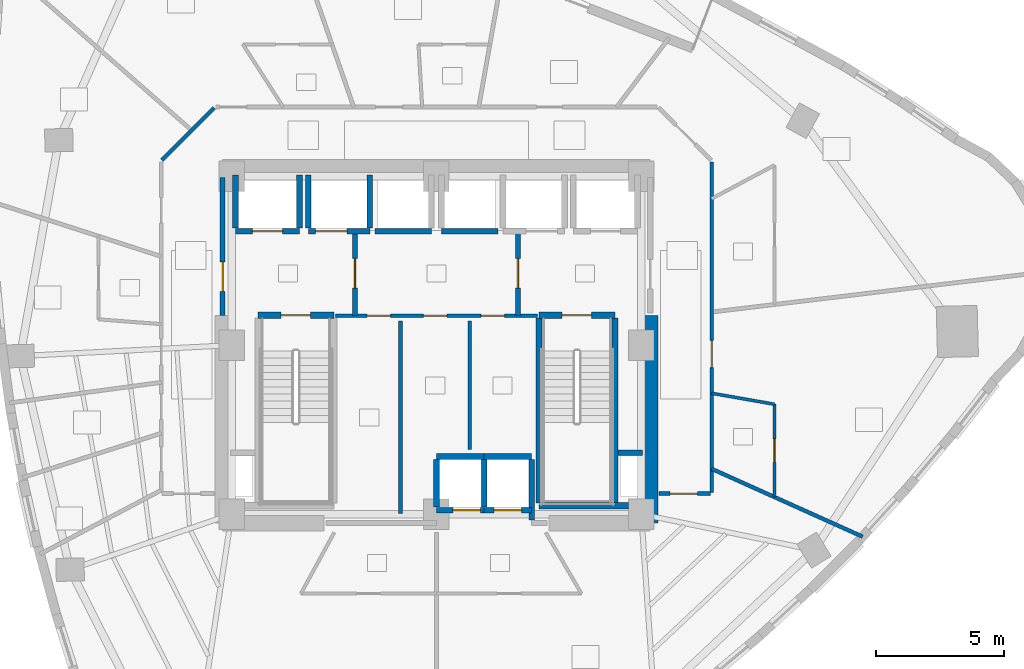
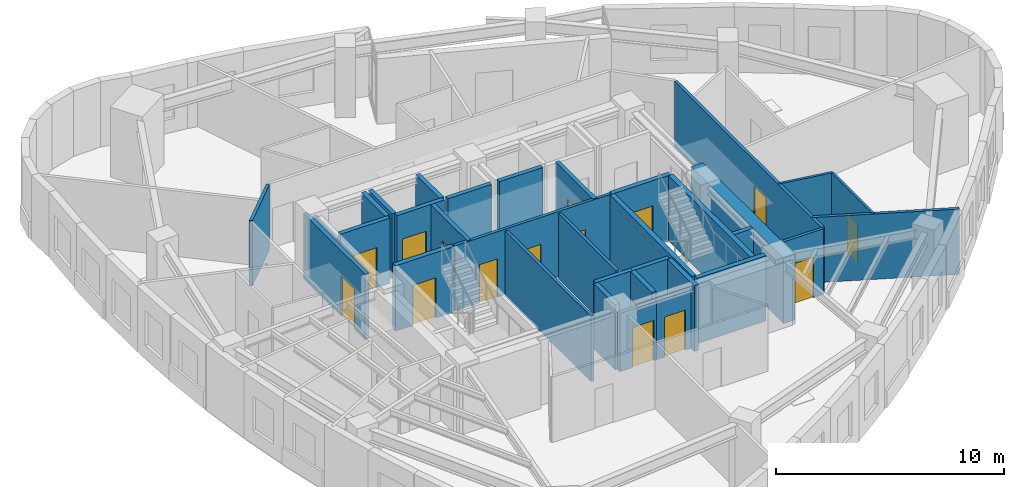
# One storey, part 7 of 12: 34 walls, 15 doors, 15 openings.
"""IFC4 building model written with IfcOpenShell, lengths in metres."""

from ifc_helpers import new_model, si_unit, direction, frame, frame_2d, origin, place, context, subcontext, project, spatial, rectangle, extrude, material, layer, layer_set, type_object, element, fill, save


model = new_model("IFC4")

# Units and contexts
model_context = context("Model", 3, precision=1e-05, world=origin(), true_north=direction((0.0, 1.0)))
body_context = subcontext(model_context, "Body", "Model", "MODEL_VIEW")
ifc_project = project(units=[si_unit("LENGTHUNIT", "METRE"), si_unit("AREAUNIT", "SQUARE_METRE"), si_unit("VOLUMEUNIT", "CUBIC_METRE"), si_unit("PLANEANGLEUNIT", "RADIAN"), si_unit("MASSUNIT", "GRAM", prefix="KILO")], contexts=[model_context])

# Site, building, storey
site_placement = place(None, origin())
site = spatial("IfcSite", under=ifc_project, at=site_placement, CompositionType="ELEMENT")
building_placement = place(site_placement, origin())
building = spatial("IfcBuilding", under=site, at=building_placement, Name="Ndelora Gate Hotel", CompositionType="ELEMENT")
storey_placement = place(building_placement, frame((0.0, 0.0, 161.0)))
storey = spatial("IfcBuildingStorey", under=building, at=storey_placement, Name="L40", CompositionType="ELEMENT", Elevation=161.0)

# Wall
ifc_material_1 = material(Name="Concrete C60/75", Category="concrete")
ifc_layer_1 = layer(ifc_material_1, 0.60009765625)
ifc_layer_set_1 = layer_set([ifc_layer_1], Name="Concrete C60/75")
wall_type_1 = type_object("IfcWallType", Name="WL-CORE-600", PredefinedType="SHEAR", material=ifc_layer_set_1)
wall_1_placement = place(storey_placement, frame((8.35009765625, -6.949951171875, 0.0), z_axis=(0.0, 0.0, 1.0), x_axis=(0.0, 1.0, 0.0)))
element("IfcWall", 1, at=wall_1_placement, inside=storey, type_object=wall_type_1, Name="L40 Core Shear Wall E", PredefinedType="SHEAR", context=body_context, shape_type="SweptSolid", body=[
    extrude(rectangle(XDim=8.099853515625, YDim=0.60009765625, at=frame_2d((4.0498046875, 0.0))), origin(), (0.0, 0.0, 1.0), 3.5),
])

# Wall, opening, door
ifc_material_2 = material(Name="Concrete C40/50", Category="concrete")
ifc_layer_2 = layer(ifc_material_2, 0.199951171875)
ifc_layer_set_2 = layer_set([ifc_layer_2], Name="Concrete C40/50")
wall_type_2 = type_object("IfcWallType", Name="WL-FIRE-200", PredefinedType="PARTITIONING", material=ifc_layer_set_2)
wall_2_placement = place(storey_placement, frame((-3.179931640625, 1.14990234375, 0.0), z_axis=(0.0, 0.0, 1.0), x_axis=(0.0, 1.0, 0.0)))
wall_2 = element("IfcWall", 2, at=wall_2_placement, inside=storey, type_object=wall_type_2, Name="L40 Interior Wall IW-2", PredefinedType="PARTITIONING", context=body_context, shape_type="SweptSolid", body=[
    extrude(rectangle(XDim=3.300048828125, YDim=0.199951171875, at=frame_2d((1.64990234375, 0.0))), origin(), (0.0, 0.0, 1.0), 3.5),
])
opening_1_placement = place(wall_2_placement, frame((1.080078125, 0.0, 0.0)))
opening_1 = element("IfcOpeningElement", 3, at=opening_1_placement, cuts=wall_2, Name="Opening FD1", PredefinedType="OPENING", context=body_context, shape_type="SweptSolid", body=[
    extrude(rectangle(XDim=1.14990234375, YDim=2.14990234375, at=frame_2d((0.574951171875, 1.074951171875))), frame((0.0, 0.10986328125, 0.0), z_axis=(0.0, -1.0, 0.0), x_axis=(1.0, 0.0, 0.0)), (0.0, 0.0, 1.0), 0.219970703125),
])
ifc_material_3 = material(Name="Fire-Rated Timber-Veneer Steel Core", Category="steel")
door_type_1 = type_object("IfcDoorType", Name="DR-FD60", OperationType="SINGLE_SWING_LEFT", PredefinedType="DOOR", material=ifc_material_3)
door_1_placement = place(opening_1_placement, origin())
door_1 = element("IfcDoor", 4, at=door_1_placement, inside=storey, type_object=door_type_1, Name="L40 Firefighting Lobby West Door", OperationType="SINGLE_SWING_RIGHT", OverallHeight=2.14990234375, OverallWidth=1.14990234375, PredefinedType="DOOR", context=body_context, shape_type="SweptSolid", body=[
    extrude(rectangle(XDim=1.14990234375, YDim=2.14990234375, at=frame_2d((0.574951171875, 1.074951171875))), frame((0.0, 0.02490234375, 0.0), z_axis=(0.0, -1.0, 0.0), x_axis=(1.0, 0.0, 0.0)), (0.0, 0.0, 1.0), 0.050048828125),
])
fill(opening_1, door_1)

wall_3_placement = place(storey_placement, frame((3.179931640625, 1.14990234375, 0.0), z_axis=(0.0, 0.0, 1.0), x_axis=(0.0, 1.0, 0.0)))
wall_3 = element("IfcWall", 5, at=wall_3_placement, inside=storey, type_object=wall_type_2, Name="L40 Interior Wall IW-2", PredefinedType="PARTITIONING", context=body_context, shape_type="SweptSolid", body=[
    extrude(rectangle(XDim=3.300048828125, YDim=0.199951171875, at=frame_2d((1.64990234375, 0.0))), origin(), (0.0, 0.0, 1.0), 3.5),
])
opening_2_placement = place(wall_3_placement, frame((1.080078125, 0.0, 0.0)))
opening_2 = element("IfcOpeningElement", 6, at=opening_2_placement, cuts=wall_3, Name="Opening FD1", PredefinedType="OPENING", context=body_context, shape_type="SweptSolid", body=[
    extrude(rectangle(XDim=1.14990234375, YDim=2.14990234375, at=frame_2d((0.574951171875, 1.074951171875))), frame((0.0, 0.10986328125, 0.0), z_axis=(0.0, -1.0, 0.0), x_axis=(1.0, 0.0, 0.0)), (0.0, 0.0, 1.0), 0.219970703125),
])
door_2_placement = place(opening_2_placement, origin())
door_2 = element("IfcDoor", 7, at=door_2_placement, inside=storey, type_object=door_type_1, Name="L40 Firefighting Lobby East Door", OperationType="SINGLE_SWING_LEFT", OverallHeight=2.14990234375, OverallWidth=1.14990234375, PredefinedType="DOOR", context=body_context, shape_type="SweptSolid", body=[
    extrude(rectangle(XDim=1.14990234375, YDim=2.14990234375, at=frame_2d((0.574951171875, 1.074951171875))), frame((0.0, 0.02490234375, 0.0), z_axis=(0.0, -1.0, 0.0), x_axis=(1.0, 0.0, 0.0)), (0.0, 0.0, 1.0), 0.050048828125),
])
fill(opening_2, door_2)

wall_4_placement = place(storey_placement, frame((-8.35009765625, 1.14990234375, 0.0), z_axis=(0.0, 0.0, 1.0), x_axis=(0.0, 1.0, 0.0)))
wall_4 = element("IfcWall", 8, at=wall_4_placement, inside=storey, type_object=wall_type_2, Name="L40 Interior Wall IW-2", PredefinedType="PARTITIONING", context=body_context, shape_type="SweptSolid", body=[
    extrude(rectangle(XDim=5.400146484375, YDim=0.199951171875, at=frame_2d((2.7001953125, 0.0))), origin(), (0.0, 0.0, 1.0), 3.5),
])
opening_3_placement = place(wall_4_placement, frame((0.949951171875, 0.0, 0.0)))
opening_3 = element("IfcOpeningElement", 9, at=opening_3_placement, cuts=wall_4, Name="Opening FD1", PredefinedType="OPENING", context=body_context, shape_type="SweptSolid", body=[
    extrude(rectangle(XDim=1.14990234375, YDim=2.14990234375, at=frame_2d((0.574951171875, 1.074951171875))), frame((0.0, 0.10986328125, 0.0), z_axis=(0.0, -1.0, 0.0), x_axis=(1.0, 0.0, 0.0)), (0.0, 0.0, 1.0), 0.219970703125),
])
door_3_placement = place(opening_3_placement, origin())
door_3 = element("IfcDoor", 10, at=door_3_placement, inside=storey, type_object=door_type_1, Name="L40 Firefighting Lobby West Corridor Door", OperationType="SINGLE_SWING_LEFT", OverallHeight=2.14990234375, OverallWidth=1.14990234375, PredefinedType="DOOR", context=body_context, shape_type="SweptSolid", body=[
    extrude(rectangle(XDim=1.14990234375, YDim=2.14990234375, at=frame_2d((0.574951171875, 1.074951171875))), frame((0.0, 0.02490234375, 0.0), z_axis=(0.0, -1.0, 0.0), x_axis=(1.0, 0.0, 0.0)), (0.0, 0.0, 1.0), 0.050048828125),
])
fill(opening_3, door_3)

# Wall, openings, doors
ifc_material_4 = material(Name="Fire-Rated Gypsum Stud Partition", Category="gypsum")
ifc_layer_3 = layer(ifc_material_4, 0.14990234375)
ifc_layer_set_3 = layer_set([ifc_layer_3], Name="Fire-Rated Gypsum Stud Partition")
wall_type_3 = type_object("IfcWallType", Name="WL-PART-150", PredefinedType="PARTITIONING", material=ifc_layer_set_3)
wall_5_placement = place(storey_placement, frame((3.949951171875, 1.14990234375, 0.0), z_axis=(0.0, 0.0, 1.0), x_axis=(-1.0, 0.0, 0.0)))
wall_5 = element("IfcWall", 11, at=wall_5_placement, inside=storey, type_object=wall_type_3, Name="L40 Interior Wall IW-5", PredefinedType="PARTITIONING", context=body_context, shape_type="SweptSolid", body=[
    extrude(rectangle(XDim=7.89990234375, YDim=0.14990234375, at=frame_2d((3.949951171875, 0.0))), origin(), (0.0, 0.0, 1.0), 3.5),
])
opening_4_placement = place(wall_5_placement, frame((5.739990234375, 0.0, 0.0)))
opening_4 = element("IfcOpeningElement", 12, at=opening_4_placement, cuts=wall_5, Name="Opening D04", PredefinedType="OPENING", context=body_context, shape_type="SweptSolid", body=[
    extrude(rectangle(XDim=0.919921875, YDim=2.050048828125, at=frame_2d((0.4599609375, 1.02490234375))), frame((0.0, 0.0849609375, 0.0), z_axis=(0.0, -1.0, 0.0), x_axis=(1.0, 0.0, 0.0)), (0.0, 0.0, 1.0), 0.169921875),
])
opening_5_placement = place(wall_5_placement, frame((3.5400390625, 0.0, 0.0)))
opening_5 = element("IfcOpeningElement", 13, at=opening_5_placement, cuts=wall_5, Name="Opening D04", PredefinedType="OPENING", context=body_context, shape_type="SweptSolid", body=[
    extrude(rectangle(XDim=0.919921875, YDim=2.050048828125, at=frame_2d((0.4599609375, 1.02490234375))), frame((0.0, 0.0849609375, 0.0), z_axis=(0.0, -1.0, 0.0), x_axis=(1.0, 0.0, 0.0)), (0.0, 0.0, 1.0), 0.169921875),
])
opening_6_placement = place(wall_5_placement, frame((1.2900390625, 0.0, 0.0)))
opening_6 = element("IfcOpeningElement", 14, at=opening_6_placement, cuts=wall_5, Name="Opening D04", PredefinedType="OPENING", context=body_context, shape_type="SweptSolid", body=[
    extrude(rectangle(XDim=0.919921875, YDim=2.050048828125, at=frame_2d((0.4599609375, 1.02490234375))), frame((0.0, 0.0849609375, 0.0), z_axis=(0.0, -1.0, 0.0), x_axis=(1.0, 0.0, 0.0)), (0.0, 0.0, 1.0), 0.169921875),
])
ifc_material_5 = material(Name="Painted Steel Core Service Door", Category="steel")
door_type_2 = type_object("IfcDoorType", Name="DR-SER-920", OperationType="SINGLE_SWING_LEFT", PredefinedType="DOOR", material=ifc_material_5)
door_4_placement = place(opening_4_placement, origin())
door_4 = element("IfcDoor", 15, at=door_4_placement, inside=storey, type_object=door_type_2, Name="L40 Core Cleaners Store Door", OperationType="SINGLE_SWING_LEFT", OverallHeight=2.050048828125, OverallWidth=0.919921875, PredefinedType="DOOR", context=body_context, shape_type="SweptSolid", body=[
    extrude(rectangle(XDim=0.919921875, YDim=2.050048828125, at=frame_2d((0.4599609375, 1.02490234375))), frame((0.0, 0.02490234375, 0.0), z_axis=(0.0, -1.0, 0.0), x_axis=(1.0, 0.0, 0.0)), (0.0, 0.0, 1.0), 0.050048828125),
])
fill(opening_4, door_4)
door_5_placement = place(opening_5_placement, origin())
door_5 = element("IfcDoor", 16, at=door_5_placement, inside=storey, type_object=door_type_2, Name="L40 Core Telecoms Equipment Room Door", OperationType="SINGLE_SWING_RIGHT", OverallHeight=2.050048828125, OverallWidth=0.919921875, PredefinedType="DOOR", context=body_context, shape_type="SweptSolid", body=[
    extrude(rectangle(XDim=0.919921875, YDim=2.050048828125, at=frame_2d((0.4599609375, 1.02490234375))), frame((0.0, 0.02490234375, 0.0), z_axis=(0.0, -1.0, 0.0), x_axis=(1.0, 0.0, 0.0)), (0.0, 0.0, 1.0), 0.050048828125),
])
fill(opening_5, door_5)
door_6_placement = place(opening_6_placement, origin())
door_6 = element("IfcDoor", 17, at=door_6_placement, inside=storey, type_object=door_type_2, Name="L40 Core Electrical Metering Room Door", OperationType="SINGLE_SWING_LEFT", OverallHeight=2.050048828125, OverallWidth=0.919921875, PredefinedType="DOOR", context=body_context, shape_type="SweptSolid", body=[
    extrude(rectangle(XDim=0.919921875, YDim=2.050048828125, at=frame_2d((0.4599609375, 1.02490234375))), frame((0.0, 0.02490234375, 0.0), z_axis=(0.0, -1.0, 0.0), x_axis=(1.0, 0.0, 0.0)), (0.0, 0.0, 1.0), 0.050048828125),
])
fill(opening_6, door_6)

# Walls
wall_6_placement = place(storey_placement, frame((-1.39990234375, -6.580078125, 0.0), z_axis=(0.0, 0.0, 1.0), x_axis=(0.0, 1.0, 0.0)))
element("IfcWall", 18, at=wall_6_placement, inside=storey, type_object=wall_type_3, Name="L40 Interior Wall IW-5", PredefinedType="PARTITIONING", context=body_context, shape_type="SweptSolid", body=[
    extrude(rectangle(XDim=7.530029296875, YDim=0.14990234375, at=frame_2d((3.76513671875, 0.0))), origin(), (0.0, 0.0, 1.0), 3.5),
])
wall_7_placement = place(storey_placement, frame((1.300048828125, -4.080078125, 0.0), z_axis=(0.0, 0.0, 1.0), x_axis=(0.0, 1.0, 0.0)))
element("IfcWall", 19, at=wall_7_placement, inside=storey, type_object=wall_type_3, Name="L40 Interior Wall IW-5", PredefinedType="PARTITIONING", context=body_context, shape_type="SweptSolid", body=[
    extrude(rectangle(XDim=5.030029296875, YDim=0.14990234375, at=frame_2d((2.51513671875, 0.0))), origin(), (0.0, 0.0, 1.0), 3.5),
])

# Wall, opening, door
wall_8_placement = place(storey_placement, frame((10.7099609375, -5.800048828125, 0.0), z_axis=(0.0, 0.0, 1.0), x_axis=(-1.0, 0.0, 0.0)))
wall_8 = element("IfcWall", 20, at=wall_8_placement, inside=storey, type_object=wall_type_3, Name="L40 Interior Wall IW-5", PredefinedType="PARTITIONING", context=body_context, shape_type="SweptSolid", body=[
    extrude(rectangle(XDim=2.02001953125, YDim=0.14990234375, at=frame_2d((1.010009765625, 0.0))), origin(), (0.0, 0.0, 1.0), 3.5),
])
opening_7_placement = place(wall_8_placement, frame((0.52001953125, 0.0, 0.0)))
opening_7 = element("IfcOpeningElement", 21, at=opening_7_placement, cuts=wall_8, Name="Opening D07", PredefinedType="OPENING", context=body_context, shape_type="SweptSolid", body=[
    extrude(rectangle(XDim=1.06005859375, YDim=2.14990234375, at=frame_2d((0.530029296875, 1.074951171875))), frame((0.0, 0.0849609375, 0.0), z_axis=(0.0, -1.0, 0.0), x_axis=(1.0, 0.0, 0.0)), (0.0, 0.0, 1.0), 0.169921875),
])
ifc_material_6 = material(Name="Diplomatic Suite Acoustic Entrance Door", Category="wood")
door_type_3 = type_object("IfcDoorType", Name="DR-SUITE-1060", OperationType="SINGLE_SWING_LEFT", PredefinedType="DOOR", material=ifc_material_6)
door_7_placement = place(opening_7_placement, origin())
door_7 = element("IfcDoor", 22, at=door_7_placement, inside=storey, type_object=door_type_3, Name="L40 Club Twin Corner Suite 4302 Entrance Door", OperationType="SINGLE_SWING_LEFT", OverallHeight=2.14990234375, OverallWidth=1.06005859375, PredefinedType="DOOR", context=body_context, shape_type="SweptSolid", body=[
    extrude(rectangle(XDim=1.06005859375, YDim=2.14990234375, at=frame_2d((0.530029296875, 1.074951171875))), frame((0.0, 0.02490234375, 0.0), z_axis=(0.0, -1.0, 0.0), x_axis=(1.0, 0.0, 0.0)), (0.0, 0.0, 1.0), 0.050048828125),
])
fill(opening_7, door_7)

wall_9_placement = place(storey_placement, frame((10.75, 7.159912109375, 0.0), z_axis=(0.0, 0.0, 1.0), x_axis=(0.0, -1.0, 0.0)))
wall_9 = element("IfcWall", 23, at=wall_9_placement, inside=storey, type_object=wall_type_3, Name="L40 Interior Wall IW-5", PredefinedType="PARTITIONING", context=body_context, shape_type="SweptSolid", body=[
    extrude(rectangle(XDim=12.919921875, YDim=0.14990234375, at=frame_2d((6.4599609375, 0.0))), origin(), (0.0, 0.0, 1.0), 3.5),
])
opening_8_placement = place(wall_9_placement, frame((6.973388671875, 0.0, 0.0)))
opening_8 = element("IfcOpeningElement", 24, at=opening_8_placement, cuts=wall_9, Name="Opening D07", PredefinedType="OPENING", context=body_context, shape_type="SweptSolid", body=[
    extrude(rectangle(XDim=1.06005859375, YDim=2.14990234375, at=frame_2d((0.530029296875, 1.074951171875))), frame((0.0, 0.0849609375, 0.0), z_axis=(0.0, -1.0, 0.0), x_axis=(1.0, 0.0, 0.0)), (0.0, 0.0, 1.0), 0.169921875),
])
door_8_placement = place(opening_8_placement, origin())
door_8 = element("IfcDoor", 25, at=door_8_placement, inside=storey, type_object=door_type_3, Name="L40 Corner Panorama Suite 4303 Entrance Door", OperationType="SINGLE_SWING_RIGHT", OverallHeight=2.14990234375, OverallWidth=1.06005859375, PredefinedType="DOOR", context=body_context, shape_type="SweptSolid", body=[
    extrude(rectangle(XDim=1.06005859375, YDim=2.14990234375, at=frame_2d((0.530029296875, 1.074951171875))), frame((0.0, 0.02490234375, 0.0), z_axis=(0.0, -1.0, 0.0), x_axis=(1.0, 0.0, 0.0)), (0.0, 0.0, 1.0), 0.050048828125),
])
fill(opening_8, door_8)

# Walls
wall_10_placement = place(storey_placement, frame((-10.7216796875, 7.228271484375, 0.0), z_axis=(0.0, 0.0, 1.0), x_axis=(0.707106781187, 0.707106781187, 0.0)))
element("IfcWall", 26, at=wall_10_placement, inside=storey, type_object=wall_type_3, Name="L40 Interior Wall IW-5", PredefinedType="PARTITIONING", context=body_context, shape_type="SweptSolid", body=[
    extrude(rectangle(XDim=2.889892578125, YDim=0.14990234375, at=frame_2d((1.44482421875, 0.0))), origin(), (0.0, 0.0, 1.0), 3.5),
])
wall_11_placement = place(storey_placement, frame((10.75, -4.831298828125, 0.0), z_axis=(0.0, 0.0, 1.0), x_axis=(0.912119988026, -0.40992331898, 0.0)))
element("IfcWall", 27, at=wall_11_placement, inside=storey, type_object=wall_type_3, Name="L40 Interior Wall IW-5", PredefinedType="PARTITIONING", context=body_context, shape_type="SweptSolid", body=[
    extrude(rectangle(XDim=6.4638671875, YDim=0.14990234375, at=frame_2d((3.23193359375, 0.0))), origin(), (0.0, 0.0, 1.0), 3.5),
])
ifc_layer_4 = layer(ifc_material_2, 0.219970703125)
ifc_layer_set_4 = layer_set([ifc_layer_4], Name="Concrete C40/50")
wall_type_4 = type_object("IfcWallType", Name="WL-SHAFT-220", PredefinedType="PARTITIONING", material=ifc_layer_set_4)
wall_12_placement = place(storey_placement, frame((7.090087890625, -4.199951171875, 0.0), z_axis=(0.0, 0.0, 1.0), x_axis=(1.0, 0.0, 0.0)))
element("IfcWall", 28, at=wall_12_placement, inside=storey, type_object=wall_type_4, Name="L40 Interior Wall IW-1", PredefinedType="PARTITIONING", context=body_context, shape_type="SweptSolid", body=[
    extrude(rectangle(XDim=0.9599609375, YDim=0.219970703125, at=frame_2d((0.47998046875, 0.0))), origin(), (0.0, 0.0, 1.0), 3.5),
])

# Wall, opening, door
wall_13_placement = place(storey_placement, frame((-7.85009765625, 4.449951171875, 0.0), z_axis=(0.0, 0.0, 1.0), x_axis=(1.0, 0.0, 0.0)))
wall_13 = element("IfcWall", 29, at=wall_13_placement, inside=storey, type_object=wall_type_4, Name="L40 Interior Wall IW-1", PredefinedType="PARTITIONING", context=body_context, shape_type="SweptSolid", body=[
    extrude(rectangle(XDim=2.5, YDim=0.219970703125, at=frame_2d((1.25, 0.0))), origin(), (0.0, 0.0, 1.0), 3.5),
])
opening_9_placement = place(wall_13_placement, frame((0.659912109375, 0.0, 0.0)))
opening_9 = element("IfcOpeningElement", 30, at=opening_9_placement, cuts=wall_13, Name="Opening LD5", PredefinedType="OPENING", context=body_context, shape_type="SweptSolid", body=[
    extrude(rectangle(XDim=1.179931640625, YDim=2.14990234375, at=frame_2d((0.58984375, 1.074951171875))), frame((0.0, 0.1201171875, 0.0), z_axis=(0.0, -1.0, 0.0), x_axis=(1.0, 0.0, 0.0)), (0.0, 0.0, 1.0), 0.239990234375),
])
ifc_material_7 = material(Name="Firefighting Lift Stainless Sliding Landing Door", Category="metal")
door_type_4 = type_object("IfcDoorType", Name="DR-LD5", OperationType="DOUBLE_DOOR_SLIDING", PredefinedType="DOOR", material=ifc_material_7)
door_9_placement = place(opening_9_placement, origin())
door_9 = element("IfcDoor", 31, at=door_9_placement, inside=storey, type_object=door_type_4, Name="L40 Lift Landing Sliding Door FFL1", OperationType="DOUBLE_DOOR_SLIDING", OverallHeight=2.14990234375, OverallWidth=1.179931640625, PredefinedType="DOOR", context=body_context, shape_type="SweptSolid", body=[
    extrude(rectangle(XDim=1.179931640625, YDim=2.14990234375, at=frame_2d((0.58984375, 1.074951171875))), frame((0.0, 0.02490234375, 0.0), z_axis=(0.0, -1.0, 0.0), x_axis=(1.0, 0.0, 0.0)), (0.0, 0.0, 1.0), 0.050048828125),
])
fill(opening_9, door_9)

# Walls
wall_14_placement = place(storey_placement, frame((-7.85009765625, 4.570068359375, 0.0), z_axis=(0.0, 0.0, 1.0), x_axis=(0.0, 1.0, 0.0)))
element("IfcWall", 32, at=wall_14_placement, inside=storey, type_object=wall_type_4, Name="L40 Interior Wall IW-1", PredefinedType="PARTITIONING", context=body_context, shape_type="SweptSolid", body=[
    extrude(rectangle(XDim=2.079833984375, YDim=0.219970703125, at=frame_2d((1.0400390625, 0.0))), origin(), (0.0, 0.0, 1.0), 3.1201171875),
])
wall_15_placement = place(storey_placement, frame((-5.35009765625, 4.570068359375, 0.0), z_axis=(0.0, 0.0, 1.0), x_axis=(0.0, 1.0, 0.0)))
element("IfcWall", 33, at=wall_15_placement, inside=storey, type_object=wall_type_4, Name="L40 Interior Wall IW-1", PredefinedType="PARTITIONING", context=body_context, shape_type="SweptSolid", body=[
    extrude(rectangle(XDim=2.079833984375, YDim=0.219970703125, at=frame_2d((1.0400390625, 0.0))), origin(), (0.0, 0.0, 1.0), 3.5),
])

# Wall, opening, door
wall_16_placement = place(storey_placement, frame((-5.0, 4.449951171875, 0.0), z_axis=(0.0, 0.0, 1.0), x_axis=(1.0, 0.0, 0.0)))
wall_16 = element("IfcWall", 34, at=wall_16_placement, inside=storey, type_object=wall_type_4, Name="L40 Interior Wall IW-1", PredefinedType="PARTITIONING", context=body_context, shape_type="SweptSolid", body=[
    extrude(rectangle(XDim=2.39990234375, YDim=0.219970703125, at=frame_2d((1.199951171875, 0.0))), origin(), (0.0, 0.0, 1.0), 3.5),
])
opening_10_placement = place(wall_16_placement, frame((0.280029296875, 0.0, 0.0)))
opening_10 = element("IfcOpeningElement", 35, at=opening_10_placement, cuts=wall_16, Name="Opening LD6", PredefinedType="OPENING", context=body_context, shape_type="SweptSolid", body=[
    extrude(rectangle(XDim=1.219970703125, YDim=2.14990234375, at=frame_2d((0.60986328125, 1.074951171875))), frame((0.0, 0.1201171875, 0.0), z_axis=(0.0, -1.0, 0.0), x_axis=(1.0, 0.0, 0.0)), (0.0, 0.0, 1.0), 0.239990234375),
])
ifc_material_8 = material(Name="Heavy-Duty Service Lift Sliding Landing Door", Category="wood")
door_type_5 = type_object("IfcDoorType", Name="DR-LD6", OperationType="DOUBLE_DOOR_SLIDING", PredefinedType="DOOR", material=ifc_material_8)
door_10_placement = place(opening_10_placement, origin())
door_10 = element("IfcDoor", 36, at=door_10_placement, inside=storey, type_object=door_type_5, Name="L40 Lift Landing Sliding Door SVL1", OperationType="DOUBLE_DOOR_SLIDING", OverallHeight=2.14990234375, OverallWidth=1.219970703125, PredefinedType="DOOR", context=body_context, shape_type="SweptSolid", body=[
    extrude(rectangle(XDim=1.219970703125, YDim=2.14990234375, at=frame_2d((0.60986328125, 1.074951171875))), frame((0.0, 0.02490234375, 0.0), z_axis=(0.0, -1.0, 0.0), x_axis=(1.0, 0.0, 0.0)), (0.0, 0.0, 1.0), 0.050048828125),
])
fill(opening_10, door_10)

# Walls
for number, where, z_axis, x_axis, name in (
    (37, (-5.0, 4.570068359375, 0.0), (0.0, 0.0, 1.0), (0.0, 1.0, 0.0), "L40 Interior Wall IW-1"),
    (38, (-2.60009765625, 4.570068359375, 0.0), (0.0, 0.0, 1.0), (0.0, 1.0, 0.0), "L40 Interior Wall IW-1"),
):
    element("IfcWall", number, at=place(storey_placement, frame(where, z_axis=z_axis, x_axis=x_axis)), inside=storey, type_object=wall_type_4, Name=name, PredefinedType="PARTITIONING", context=body_context, shape_type="SweptSolid", body=[
        extrude(rectangle(XDim=2.079833984375, YDim=0.219970703125, at=frame_2d((1.0400390625, 0.0))), origin(), (0.0, 0.0, 1.0), 3.5),
    ])

# Wall, opening, door
wall_17_placement = place(storey_placement, frame((0.0, -6.449951171875, 0.0), z_axis=(0.0, 0.0, 1.0), x_axis=(1.0, 0.0, 0.0)))
wall_17 = element("IfcWall", 39, at=wall_17_placement, inside=storey, type_object=wall_type_4, Name="L40 Interior Wall IW-1", PredefinedType="PARTITIONING", context=body_context, shape_type="SweptSolid", body=[
    extrude(rectangle(XDim=1.860107421875, YDim=0.219970703125, at=frame_2d((0.93017578125, 0.0))), origin(), (0.0, 0.0, 1.0), 3.1201171875),
])
opening_11_placement = place(wall_17_placement, frame((0.639892578125, 0.0, 0.0)))
opening_11 = element("IfcOpeningElement", 40, at=opening_11_placement, cuts=wall_17, Name="Opening LD2", PredefinedType="OPENING", context=body_context, shape_type="SweptSolid", body=[
    extrude(rectangle(XDim=1.080078125, YDim=2.14990234375, at=frame_2d((0.5400390625, 1.074951171875))), frame((0.0, 0.1201171875, 0.0), z_axis=(0.0, -1.0, 0.0), x_axis=(1.0, 0.0, 0.0)), (0.0, 0.0, 1.0), 0.239990234375),
])
ifc_material_9 = material(Name="Brushed Bronze Stainless Lift Landing Door", Category="metal")
door_type_6 = type_object("IfcDoorType", Name="DR-LD2", OperationType="DOUBLE_DOOR_SLIDING", PredefinedType="DOOR", material=ifc_material_9)
door_11_placement = place(opening_11_placement, origin())
door_11 = element("IfcDoor", 41, at=door_11_placement, inside=storey, type_object=door_type_6, Name="L40 Lift Landing Sliding Door P2A", OperationType="DOUBLE_DOOR_SLIDING", OverallHeight=2.14990234375, OverallWidth=1.080078125, PredefinedType="DOOR", context=body_context, shape_type="SweptSolid", body=[
    extrude(rectangle(XDim=1.080078125, YDim=2.14990234375, at=frame_2d((0.5400390625, 1.074951171875))), frame((0.0, 0.02490234375, 0.0), z_axis=(0.0, -1.0, 0.0), x_axis=(1.0, 0.0, 0.0)), (0.0, 0.0, 1.0), 0.050048828125),
])
fill(opening_11, door_11)

# Walls
for number, where, z_axis, x_axis, name in (
    (42, (0.0, -4.35009765625, 0.0), (0.0, 0.0, 1.0), (1.0, 0.0, 0.0), "L40 Interior Wall IW-1"),
    (43, (0.0, -6.330078125, 0.0), (0.0, 0.0, 1.0), (0.0, 1.0, 0.0), "L40 Interior Wall IW-1"),
    (44, (1.860107421875, -6.330078125, 0.0), (0.0, 0.0, 1.0), (0.0, 1.0, 0.0), "L40 Interior Wall IW-1"),
):
    element("IfcWall", number, at=place(storey_placement, frame(where, z_axis=z_axis, x_axis=x_axis)), inside=storey, type_object=wall_type_4, Name=name, PredefinedType="PARTITIONING", context=body_context, shape_type="SweptSolid", body=[
        extrude(rectangle(XDim=1.860107421875, YDim=0.219970703125, at=frame_2d((0.93017578125, 0.0))), origin(), (0.0, 0.0, 1.0), 3.5),
    ])

# Wall, opening, door
wall_18_placement = place(storey_placement, frame((1.860107421875, -6.449951171875, 0.0), z_axis=(0.0, 0.0, 1.0), x_axis=(1.0, 0.0, 0.0)))
wall_18 = element("IfcWall", 45, at=wall_18_placement, inside=storey, type_object=wall_type_4, Name="L40 Interior Wall IW-1", PredefinedType="PARTITIONING", context=body_context, shape_type="SweptSolid", body=[
    extrude(rectangle(XDim=1.85986328125, YDim=0.219970703125, at=frame_2d((0.929931640625, 0.0))), origin(), (0.0, 0.0, 1.0), 3.1201171875),
])
opening_12_placement = place(wall_18_placement, frame((0.389892578125, 0.0, 0.0)))
opening_12 = element("IfcOpeningElement", 46, at=opening_12_placement, cuts=wall_18, Name="Opening LD2", PredefinedType="OPENING", context=body_context, shape_type="SweptSolid", body=[
    extrude(rectangle(XDim=1.080078125, YDim=2.14990234375, at=frame_2d((0.5400390625, 1.074951171875))), frame((0.0, 0.1201171875, 0.0), z_axis=(0.0, -1.0, 0.0), x_axis=(1.0, 0.0, 0.0)), (0.0, 0.0, 1.0), 0.239990234375),
])
door_12_placement = place(opening_12_placement, origin())
door_12 = element("IfcDoor", 47, at=door_12_placement, inside=storey, type_object=door_type_6, Name="L40 Lift Landing Sliding Door P2B", OperationType="DOUBLE_DOOR_SLIDING", OverallHeight=2.14990234375, OverallWidth=1.080078125, PredefinedType="DOOR", context=body_context, shape_type="SweptSolid", body=[
    extrude(rectangle(XDim=1.080078125, YDim=2.14990234375, at=frame_2d((0.5400390625, 1.074951171875))), frame((0.0, 0.02490234375, 0.0), z_axis=(0.0, -1.0, 0.0), x_axis=(1.0, 0.0, 0.0)), (0.0, 0.0, 1.0), 0.050048828125),
])
fill(opening_12, door_12)

# Walls
wall_19_placement = place(storey_placement, frame((1.860107421875, -4.35009765625, 0.0), z_axis=(0.0, 0.0, 1.0), x_axis=(1.0, 0.0, 0.0)))
element("IfcWall", 48, at=wall_19_placement, inside=storey, type_object=wall_type_4, Name="L40 Interior Wall IW-1", PredefinedType="PARTITIONING", context=body_context, shape_type="SweptSolid", body=[
    extrude(rectangle(XDim=1.85986328125, YDim=0.219970703125, at=frame_2d((0.929931640625, 0.0))), origin(), (0.0, 0.0, 1.0), 3.5),
])
wall_20_placement = place(storey_placement, frame((3.719970703125, -6.830078125, 0.0), z_axis=(0.0, 0.0, 1.0), x_axis=(0.0, 1.0, 0.0)))
element("IfcWall", 49, at=wall_20_placement, inside=storey, type_object=wall_type_4, Name="L40 Interior Wall IW-1", PredefinedType="PARTITIONING", context=body_context, shape_type="SweptSolid", body=[
    extrude(rectangle(XDim=2.360107421875, YDim=0.219970703125, at=frame_2d((1.18017578125, 0.0))), origin(), (0.0, 0.0, 1.0), 3.5),
])
for number, where, z_axis, x_axis, name in (
    (50, (-2.39990234375, 4.449951171875, 0.0), (0.0, 0.0, 1.0), (1.0, 0.0, 0.0), "L40 Interior Wall IW-1"),
    (51, (0.199951171875, 4.449951171875, 0.0), (0.0, 0.0, 1.0), (1.0, 0.0, 0.0), "L40 Interior Wall IW-1"),
):
    element("IfcWall", number, at=place(storey_placement, frame(where, z_axis=z_axis, x_axis=x_axis)), inside=storey, type_object=wall_type_4, Name=name, PredefinedType="PARTITIONING", context=body_context, shape_type="SweptSolid", body=[
        extrude(rectangle(XDim=2.199951171875, YDim=0.219970703125, at=frame_2d((1.10009765625, 0.0))), origin(), (0.0, 0.0, 1.0), 3.5),
    ])

# Wall, opening, door
ifc_material_10 = material(Name="Concrete C50/60", Category="concrete")
ifc_layer_5 = layer(ifc_material_10, 0.239990234375)
ifc_layer_set_5 = layer_set([ifc_layer_5], Name="Concrete C50/60")
wall_type_5 = type_object("IfcWallType", Name="WL-STAIR-240", PredefinedType="SHEAR", material=ifc_layer_set_5)
wall_21_placement = place(storey_placement, frame((-6.969970703125, 1.169921875, 0.0), z_axis=(0.0, 0.0, 1.0), x_axis=(1.0, 0.0, 0.0)))
wall_21 = element("IfcWall", 52, at=wall_21_placement, inside=storey, type_object=wall_type_5, Name="L40 Stair Core Shear Wall SW-ST", PredefinedType="SHEAR", context=body_context, shape_type="SweptSolid", body=[
    extrude(rectangle(XDim=2.9599609375, YDim=0.239990234375, at=frame_2d((1.47998046875, 0.0))), origin(), (0.0, 0.0, 1.0), 3.5),
])
opening_13_placement = place(wall_21_placement, frame((0.89990234375, 0.0, 0.0)))
opening_13 = element("IfcOpeningElement", 53, at=opening_13_placement, cuts=wall_21, Name="Opening FD1", PredefinedType="OPENING", context=body_context, shape_type="SweptSolid", body=[
    extrude(rectangle(XDim=1.14990234375, YDim=2.14990234375, at=frame_2d((0.574951171875, 1.074951171875))), frame((0.0, 0.1298828125, 0.0), z_axis=(0.0, -1.0, 0.0), x_axis=(1.0, 0.0, 0.0)), (0.0, 0.0, 1.0), 0.260009765625),
])
door_13_placement = place(opening_13_placement, origin())
door_13 = element("IfcDoor", 54, at=door_13_placement, inside=storey, type_object=door_type_1, Name="L40 Exit Stair ST4 Door", OperationType="SINGLE_SWING_LEFT", OverallHeight=2.14990234375, OverallWidth=1.14990234375, PredefinedType="DOOR", context=body_context, shape_type="SweptSolid", body=[
    extrude(rectangle(XDim=1.14990234375, YDim=2.14990234375, at=frame_2d((0.574951171875, 1.074951171875))), frame((0.0, 0.02490234375, 0.0), z_axis=(0.0, -1.0, 0.0), x_axis=(1.0, 0.0, 0.0)), (0.0, 0.0, 1.0), 0.050048828125),
])
fill(opening_13, door_13)

# Walls
for number, where, z_axis, x_axis, name in (
    (55, (4.010009765625, -6.159912109375, 0.0), (0.0, 0.0, 1.0), (0.0, 1.0, 0.0), "L40 Stair Core Shear Wall SW-ST"),
    (56, (6.969970703125, -6.159912109375, 0.0), (0.0, 0.0, 1.0), (0.0, 1.0, 0.0), "L40 Stair Core Shear Wall SW-ST"),
):
    element("IfcWall", number, at=place(storey_placement, frame(where, z_axis=z_axis, x_axis=x_axis)), inside=storey, type_object=wall_type_5, Name=name, PredefinedType="SHEAR", context=body_context, shape_type="SweptSolid", body=[
        extrude(rectangle(XDim=7.219970703125, YDim=0.239990234375, at=frame_2d((3.60986328125, 0.0))), origin(), (0.0, 0.0, 1.0), 3.5),
    ])
wall_22_placement = place(storey_placement, frame((4.010009765625, -6.27001953125, 0.0), z_axis=(0.0, 0.0, 1.0), x_axis=(1.0, 0.0, 0.0)))
element("IfcWall", 57, at=wall_22_placement, inside=storey, type_object=wall_type_5, Name="L40 Stair Core Shear Wall SW-ST", PredefinedType="SHEAR", context=body_context, shape_type="SweptSolid", body=[
    extrude(rectangle(XDim=3.489990234375, YDim=0.239990234375, at=frame_2d((1.7451171875, 0.0))), origin(), (0.0, 0.0, 1.0), 3.5),
])

# Wall, opening, door
wall_23_placement = place(storey_placement, frame((4.010009765625, 1.169921875, 0.0), z_axis=(0.0, 0.0, 1.0), x_axis=(1.0, 0.0, 0.0)))
wall_23 = element("IfcWall", 58, at=wall_23_placement, inside=storey, type_object=wall_type_5, Name="L40 Stair Core Shear Wall SW-ST", PredefinedType="SHEAR", context=body_context, shape_type="SweptSolid", body=[
    extrude(rectangle(XDim=2.9599609375, YDim=0.239990234375, at=frame_2d((1.47998046875, 0.0))), origin(), (0.0, 0.0, 1.0), 3.5),
])
opening_14_placement = place(wall_23_placement, frame((0.89990234375, 0.0, 0.0)))
opening_14 = element("IfcOpeningElement", 59, at=opening_14_placement, cuts=wall_23, Name="Opening FD1", PredefinedType="OPENING", context=body_context, shape_type="SweptSolid", body=[
    extrude(rectangle(XDim=1.14990234375, YDim=2.14990234375, at=frame_2d((0.574951171875, 1.074951171875))), frame((0.0, 0.1298828125, 0.0), z_axis=(0.0, -1.0, 0.0), x_axis=(1.0, 0.0, 0.0)), (0.0, 0.0, 1.0), 0.260009765625),
])
door_14_placement = place(opening_14_placement, origin())
door_14 = element("IfcDoor", 60, at=door_14_placement, inside=storey, type_object=door_type_1, Name="L40 Exit Stair ST5 Door", OperationType="SINGLE_SWING_RIGHT", OverallHeight=2.14990234375, OverallWidth=1.14990234375, PredefinedType="DOOR", context=body_context, shape_type="SweptSolid", body=[
    extrude(rectangle(XDim=1.14990234375, YDim=2.14990234375, at=frame_2d((0.574951171875, 1.074951171875))), frame((0.0, 0.02490234375, 0.0), z_axis=(0.0, -1.0, 0.0), x_axis=(1.0, 0.0, 0.0)), (0.0, 0.0, 1.0), 0.050048828125),
])
fill(opening_14, door_14)

# Wall
ifc_material_11 = material(Name="Moisture-Resistant Bathroom Tile Partition", Category="gypsum")
ifc_layer_6 = layer(ifc_material_11, 0.1201171875)
ifc_layer_set_6 = layer_set([ifc_layer_6], Name="Moisture-Resistant Bathroom Tile Partition")
wall_type_6 = type_object("IfcWallType", Name="WL-WET-120", PredefinedType="PARTITIONING", material=ifc_layer_set_6)
wall_24_placement = place(storey_placement, frame((10.75, -1.87890625, 0.0), z_axis=(0.0, 0.0, 1.0), x_axis=(0.985065866007, -0.172177930142, 0.0)))
element("IfcWall", 61, at=wall_24_placement, inside=storey, type_object=wall_type_6, Name="L40 Interior Wall IW-7", PredefinedType="PARTITIONING", context=body_context, shape_type="SweptSolid", body=[
    extrude(rectangle(XDim=2.487060546875, YDim=0.1201171875, at=frame_2d((1.24365234375, 0.0))), origin(), (0.0, 0.0, 1.0), 3.5),
])

# Wall, opening, door
wall_25_placement = place(storey_placement, frame((13.199951171875, -2.30712890625, 0.0), z_axis=(0.0, 0.0, 1.0), x_axis=(0.0, -1.0, 0.0)))
wall_25 = element("IfcWall", 62, at=wall_25_placement, inside=storey, type_object=wall_type_6, Name="L40 Interior Wall IW-7", PredefinedType="PARTITIONING", context=body_context, shape_type="SweptSolid", body=[
    extrude(rectangle(XDim=3.625244140625, YDim=0.1201171875, at=frame_2d((1.8125, 0.0))), origin(), (0.0, 0.0, 1.0), 3.5),
])
opening_15_placement = place(wall_25_placement, frame((1.3525390625, 0.0, 0.0)))
opening_15 = element("IfcOpeningElement", 63, at=opening_15_placement, cuts=wall_25, Name="Opening D03", PredefinedType="OPENING", context=body_context, shape_type="SweptSolid", body=[
    extrude(rectangle(XDim=0.919921875, YDim=2.10009765625, at=frame_2d((0.4599609375, 1.050048828125))), frame((0.0, 0.070068359375, 0.0), z_axis=(0.0, -1.0, 0.0), x_axis=(1.0, 0.0, 0.0)), (0.0, 0.0, 1.0), 0.14013671875),
])
ifc_material_12 = material(Name="Moisture-Resistant Hardwood En-Suite Door", Category="wood")
door_type_7 = type_object("IfcDoorType", Name="DR-BATH-920", OperationType="SINGLE_SWING_LEFT", PredefinedType="DOOR", material=ifc_material_12)
door_15_placement = place(opening_15_placement, origin())
door_15 = element("IfcDoor", 64, at=door_15_placement, inside=storey, type_object=door_type_7, Name="L40 En-suite Bathroom 4303 Door", OperationType="SINGLE_SWING_RIGHT", OverallHeight=2.10009765625, OverallWidth=0.919921875, PredefinedType="DOOR", context=body_context, shape_type="SweptSolid", body=[
    extrude(rectangle(XDim=0.919921875, YDim=2.10009765625, at=frame_2d((0.4599609375, 1.050048828125))), frame((0.0, 0.02490234375, 0.0), z_axis=(0.0, -1.0, 0.0), x_axis=(1.0, 0.0, 0.0)), (0.0, 0.0, 1.0), 0.050048828125),
])
fill(opening_15, door_15)

save(model, "model.ifc")
